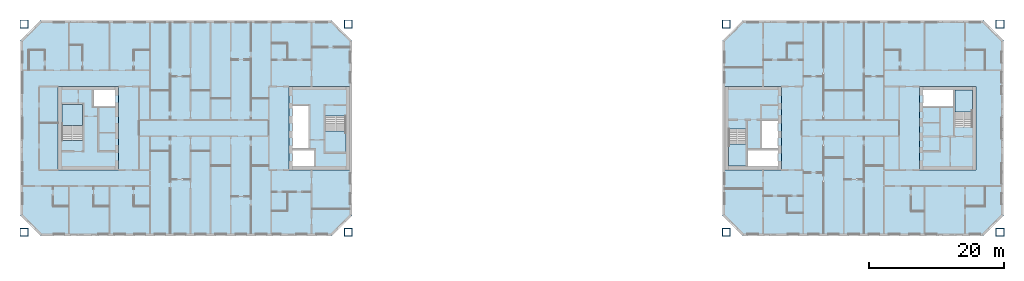
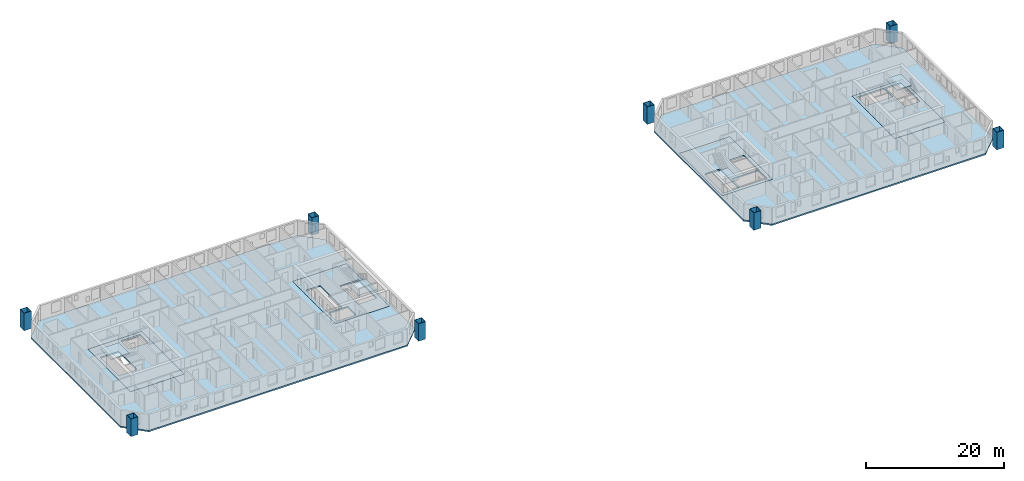
# One storey, part 1 of 17: 10 slabs, 8 columns, 4 elements without a shape of their own.
"""IFC4 building model written with IfcOpenShell, lengths in metres."""

from ifc_helpers import new_model, si_unit, direction, frame, origin, origin_2d, place, context, subcontext, project, spatial, polyline, hollow_rectangle, outline, extrude, material, layer, layer_set, material_profile, profile_set, type_object, element, aggregate, save


model = new_model("IFC4")

# Units and contexts
model_context = context("Model", 3, precision=1e-05, world=origin(), true_north=direction((0.0, 1.0)))
body_context = subcontext(model_context, "Body", "Model", "MODEL_VIEW")
ifc_project = project(units=[si_unit("LENGTHUNIT", "METRE"), si_unit("AREAUNIT", "SQUARE_METRE"), si_unit("VOLUMEUNIT", "CUBIC_METRE"), si_unit("PLANEANGLEUNIT", "RADIAN"), si_unit("MASSUNIT", "GRAM", prefix="KILO")], contexts=[model_context])

# Site, building, storey
site_placement = place(None, origin())
site = spatial("IfcSite", under=ifc_project, at=site_placement, CompositionType="ELEMENT")
building_placement = place(site_placement, origin())
building = spatial("IfcBuilding", under=site, at=building_placement, Name="Tuart Gate Housing", CompositionType="ELEMENT")
storey_placement = place(building_placement, frame((0.0, 0.0, 126.800048828125)))
storey = spatial("IfcBuildingStorey", under=building, at=storey_placement, Name="L35", CompositionType="ELEMENT", Elevation=126.800048828125)

# Columns
ifc_material_1 = material(Name="Steel Grade 350", Category="steel")
ifc_material_profile = material_profile(ifc_material_1, hollow_rectangle(XDim=1.199951171875, YDim=1.199951171875, WallThickness=0.06494140625, at=origin_2d()), Name="BOX 1200x1200x65")
ifc_profile_set = profile_set([ifc_material_profile], Name="Steel Grade 350")
column_type = type_object("IfcColumnType", Name="Mega column BOX 1200x1200x65", PredefinedType="COLUMN", material=ifc_profile_set)
for number, where, z_axis, x_axis, name in (
    (1, (27.300048828125, 54.550048828125, 0.0), (0.0, 0.0, 1.0), (1.0, 0.0, 0.0), "Mega column A south-west L35"),
    (2, (75.449951171875, 54.550048828125, 0.0), (0.0, 0.0, 1.0), (1.0, 0.0, 0.0), "Mega column A south-east L35"),
    (3, (75.449951171875, 85.449951171875, 0.0), (0.0, 0.0, 1.0), (1.0, 0.0, 0.0), "Mega column A north-east L35"),
    (4, (27.300048828125, 85.449951171875, 0.0), (0.0, 0.0, 1.0), (1.0, 0.0, 0.0), "Mega column A north-west L35"),
    (5, (131.550048828125, 54.550048828125, 0.0), (0.0, 0.0, 1.0), (1.0, 0.0, 0.0), "Mega column B south-west L35"),
    (6, (172.199951171875, 54.550048828125, 0.0), (0.0, 0.0, 1.0), (1.0, 0.0, 0.0), "Mega column B south-east L35"),
    (7, (172.199951171875, 85.449951171875, 0.0), (0.0, 0.0, 1.0), (1.0, 0.0, 0.0), "Mega column B north-east L35"),
    (8, (131.550048828125, 85.449951171875, 0.0), (0.0, 0.0, 1.0), (1.0, 0.0, 0.0), "Mega column B north-west L35"),
):
    element("IfcColumn", number, at=place(storey_placement, frame(where, z_axis=z_axis, x_axis=x_axis)), inside=storey, type_object=column_type, Name=name, PredefinedType="COLUMN", context=body_context, shape_type="SweptSolid", body=[
        extrude(hollow_rectangle(XDim=1.199951171875, YDim=1.199951171875, WallThickness=0.06494140625, at=origin_2d()), origin(), (0.0, 0.0, 1.0), 3.099853515625),
    ])

# Slabs
ifc_material_2 = material(Name="Concrete C40", Category="concrete")
ifc_layer_1 = layer(ifc_material_2, 0.25)
ifc_layer_set_1 = layer_set([ifc_layer_1], Name="Core floor slab 250")
slab_type_1 = type_object("IfcSlabType", Name="Core floor slab 250", PredefinedType="FLOOR", material=ifc_layer_set_1)
slab_1_placement = place(storey_placement, frame((0.0, 0.0, -0.25)))
element("IfcSlab", 9, at=slab_1_placement, inside=storey, type_object=slab_type_1, Name="Core floor AG", PredefinedType="FLOOR", context=body_context, shape_type="SweptSolid", body=[
    extrude(outline(polyline([(66.639892578125, 63.800048828125), (75.639892578125, 63.800048828125), (75.639892578125, 76.199951171875), (66.639892578125, 76.199951171875), (66.639892578125, 63.800048828125)]), holes=[polyline([(67.18994140625, 64.35009765625), (70.385009765625, 64.35009765625), (70.385009765625, 66.72509765625), (67.18994140625, 66.72509765625), (67.18994140625, 64.35009765625)]), polyline([(67.18994140625, 66.97509765625), (69.56494140625, 66.97509765625), (69.56494140625, 73.324951171875), (67.18994140625, 73.324951171875), (67.18994140625, 66.97509765625)]), polyline([(72.014892578125, 66.47509765625), (75.090087890625, 66.47509765625), (75.090087890625, 71.804931640625), (72.014892578125, 71.804931640625), (72.014892578125, 66.47509765625)])]), origin(), (0.0, 0.0, 1.0), 0.25),
])
slab_2_placement = place(storey_placement, frame((0.0, 0.0, -0.25)))
element("IfcSlab", 10, at=slab_2_placement, inside=storey, type_object=slab_type_1, Name="Core floor AK", PredefinedType="FLOOR", context=body_context, shape_type="SweptSolid", body=[
    extrude(outline(polyline([(32.360107421875, 63.800048828125), (41.360107421875, 63.800048828125), (41.360107421875, 76.199951171875), (32.360107421875, 76.199951171875), (32.360107421875, 63.800048828125)]), holes=[polyline([(40.81005859375, 75.64990234375), (37.614990234375, 75.64990234375), (37.614990234375, 73.27490234375), (40.81005859375, 73.27490234375), (40.81005859375, 75.64990234375)]), polyline([(35.985107421875, 73.52490234375), (32.909912109375, 73.52490234375), (32.909912109375, 68.195068359375), (35.985107421875, 68.195068359375), (35.985107421875, 73.52490234375)])]), origin(), (0.0, 0.0, 1.0), 0.25),
])
slab_3_placement = place(storey_placement, frame((0.0, 0.0, -0.25)))
element("IfcSlab", 11, at=slab_3_placement, inside=storey, type_object=slab_type_1, Name="Core floor BG", PredefinedType="FLOOR", context=body_context, shape_type="SweptSolid", body=[
    extrude(outline(polyline([(131.360107421875, 63.800048828125), (139.760009765625, 63.800048828125), (139.760009765625, 76.199951171875), (131.360107421875, 76.199951171875), (131.360107421875, 63.800048828125)]), holes=[polyline([(139.2099609375, 66.85009765625), (134.735107421875, 66.85009765625), (134.735107421875, 64.35009765625), (139.2099609375, 64.35009765625), (139.2099609375, 66.85009765625)]), polyline([(139.2099609375, 71.125), (136.8349609375, 71.125), (136.8349609375, 66.97509765625), (139.2099609375, 66.97509765625), (139.2099609375, 71.125)]), polyline([(134.485107421875, 69.85498046875), (131.909912109375, 69.85498046875), (131.909912109375, 64.35009765625), (134.485107421875, 64.35009765625), (134.485107421875, 69.85498046875)])]), origin(), (0.0, 0.0, 1.0), 0.25),
])
slab_4_placement = place(storey_placement, frame((0.0, 0.0, -0.25)))
element("IfcSlab", 12, at=slab_4_placement, inside=storey, type_object=slab_type_1, Name="Core floor BK", PredefinedType="FLOOR", context=body_context, shape_type="SweptSolid", body=[
    extrude(outline(polyline([(160.239990234375, 63.800048828125), (168.639892578125, 63.800048828125), (168.639892578125, 76.199951171875), (160.239990234375, 76.199951171875), (160.239990234375, 63.800048828125)]), holes=[polyline([(160.7900390625, 73.14990234375), (165.264892578125, 73.14990234375), (165.264892578125, 75.64990234375), (160.7900390625, 75.64990234375), (160.7900390625, 73.14990234375)]), polyline([(165.514892578125, 70.14501953125), (168.090087890625, 70.14501953125), (168.090087890625, 75.64990234375), (165.514892578125, 75.64990234375), (165.514892578125, 70.14501953125)])]), origin(), (0.0, 0.0, 1.0), 0.25),
])
ifc_material_3 = material(Name="Concrete C40", Category="concrete")
ifc_layer_2 = layer(ifc_material_3, 0.25)
ifc_layer_set_2 = layer_set([ifc_layer_2], Name="Flat plate 250")
slab_type_2 = type_object("IfcSlabType", Name="Flat plate 250", PredefinedType="FLOOR", material=ifc_layer_set_2)
slab_5_placement = place(storey_placement, frame((0.0, 0.0, -0.25)))
element("IfcSlab", 13, at=slab_5_placement, inside=storey, type_object=slab_type_2, Name="Floor slab A L35", PredefinedType="FLOOR", context=body_context, shape_type="SweptSolid", body=[
    extrude(outline(polyline([(29.75, 86.0), (26.75, 83.0), (26.75, 57.0), (29.75, 54.0), (73.0, 54.0), (76.0, 57.0), (76.0, 83.0), (73.0, 86.0), (29.75, 86.0)]), holes=[polyline([(66.639892578125, 76.199951171875), (75.639892578125, 76.199951171875), (75.639892578125, 63.800048828125), (66.639892578125, 63.800048828125), (66.639892578125, 76.199951171875)]), polyline([(41.360107421875, 76.199951171875), (41.360107421875, 63.800048828125), (32.360107421875, 63.800048828125), (32.360107421875, 76.199951171875), (41.360107421875, 76.199951171875)])]), origin(), (0.0, 0.0, 1.0), 0.25),
])
slab_6_placement = place(storey_placement, frame((0.0, 0.0, -0.25)))
element("IfcSlab", 14, at=slab_6_placement, inside=storey, type_object=slab_type_2, Name="Floor slab B L35", PredefinedType="FLOOR", context=body_context, shape_type="SweptSolid", body=[
    extrude(outline(polyline([(134.0, 86.0), (131.0, 83.0), (131.0, 57.0), (134.0, 54.0), (169.75, 54.0), (172.75, 57.0), (172.75, 83.0), (169.75, 86.0), (134.0, 86.0)]), holes=[polyline([(131.360107421875, 76.199951171875), (139.760009765625, 76.199951171875), (139.760009765625, 63.800048828125), (131.360107421875, 63.800048828125), (131.360107421875, 76.199951171875)]), polyline([(168.639892578125, 76.199951171875), (168.639892578125, 63.800048828125), (160.239990234375, 63.800048828125), (160.239990234375, 76.199951171875), (168.639892578125, 76.199951171875)])]), origin(), (0.0, 0.0, 1.0), 0.25),
])

# Stair, slab
ifc_material_4 = material(Name="Concrete C40", Category="concrete")
stair_type_1 = type_object("IfcStairType", Name="Core stair 1500", PredefinedType="HALF_TURN_STAIR", material=ifc_material_4)
stair_1_placement = place(storey_placement, origin())
stair_1 = element("IfcStair", 15, at=stair_1_placement, inside=storey, type_object=stair_type_1, Name="Stair SA1", PredefinedType="HALF_TURN_STAIR")
ifc_material_5 = material(Name="Concrete C40", Category="concrete")
ifc_layer_3 = layer(ifc_material_5, 0.199951171875)
ifc_layer_set_3 = layer_set([ifc_layer_3], Name="Stair landing 200")
slab_type_3 = type_object("IfcSlabType", Name="Stair landing 200", PredefinedType="LANDING", material=ifc_layer_set_3)
slab_7_placement = place(storey_placement, frame((0.0, 0.0, 1.349853515625)))
slab_7 = element("IfcSlab", 16, at=slab_7_placement, type_object=slab_type_3, Name="SA1 landing 1", PredefinedType="LANDING", context=body_context, shape_type="SweptSolid", body=[
    extrude(outline(polyline([(72.014892578125, 66.47509765625), (75.090087890625, 66.47509765625), (75.090087890625, 69.5849609375), (72.014892578125, 69.5849609375), (72.014892578125, 66.47509765625)])), origin(), (0.0, 0.0, 1.0), 0.2001953125),
])
aggregate(stair_1, [slab_7])

stair_2_placement = place(storey_placement, origin())
stair_2 = element("IfcStair", 17, at=stair_2_placement, inside=storey, type_object=stair_type_1, Name="Stair SA2", PredefinedType="HALF_TURN_STAIR")
slab_8_placement = place(storey_placement, frame((0.0, 0.0, 1.349853515625)))
slab_8 = element("IfcSlab", 18, at=slab_8_placement, type_object=slab_type_3, Name="SA2 landing 1", PredefinedType="LANDING", context=body_context, shape_type="SweptSolid", body=[
    extrude(outline(polyline([(35.985107421875, 73.52490234375), (32.909912109375, 73.52490234375), (32.909912109375, 70.4150390625), (35.985107421875, 70.4150390625), (35.985107421875, 73.52490234375)])), origin(), (0.0, 0.0, 1.0), 0.2001953125),
])
aggregate(stair_2, [slab_8])

ifc_material_6 = material(Name="Concrete C40", Category="concrete")
stair_type_2 = type_object("IfcStairType", Name="Core stair 1250", PredefinedType="HALF_TURN_STAIR", material=ifc_material_6)
stair_3_placement = place(storey_placement, origin())
stair_3 = element("IfcStair", 19, at=stair_3_placement, inside=storey, type_object=stair_type_2, Name="Stair SB1", PredefinedType="HALF_TURN_STAIR")
slab_9_placement = place(storey_placement, frame((0.0, 0.0, 1.349853515625)))
slab_9 = element("IfcSlab", 20, at=slab_9_placement, type_object=slab_type_3, Name="SB1 landing 1", PredefinedType="LANDING", context=body_context, shape_type="SweptSolid", body=[
    extrude(outline(polyline([(134.485107421875, 67.635009765625), (131.909912109375, 67.635009765625), (131.909912109375, 64.35009765625), (134.485107421875, 64.35009765625), (134.485107421875, 67.635009765625)])), origin(), (0.0, 0.0, 1.0), 0.2001953125),
])
aggregate(stair_3, [slab_9])

stair_4_placement = place(storey_placement, origin())
stair_4 = element("IfcStair", 21, at=stair_4_placement, inside=storey, type_object=stair_type_2, Name="Stair SB2", PredefinedType="HALF_TURN_STAIR")
slab_10_placement = place(storey_placement, frame((0.0, 0.0, 1.349853515625)))
slab_10 = element("IfcSlab", 22, at=slab_10_placement, type_object=slab_type_3, Name="SB2 landing 1", PredefinedType="LANDING", context=body_context, shape_type="SweptSolid", body=[
    extrude(outline(polyline([(165.514892578125, 72.364990234375), (168.090087890625, 72.364990234375), (168.090087890625, 75.64990234375), (165.514892578125, 75.64990234375), (165.514892578125, 72.364990234375)])), origin(), (0.0, 0.0, 1.0), 0.2001953125),
])
aggregate(stair_4, [slab_10])

save(model, "model.ifc")
